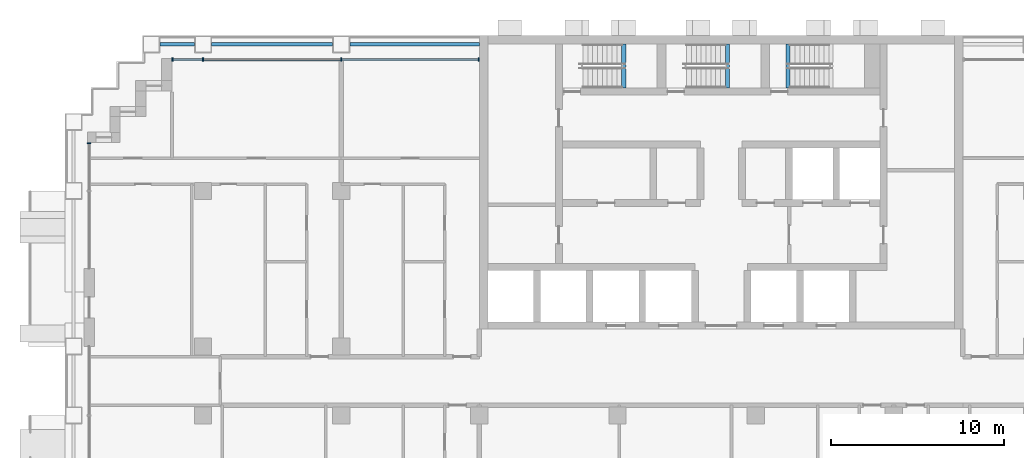
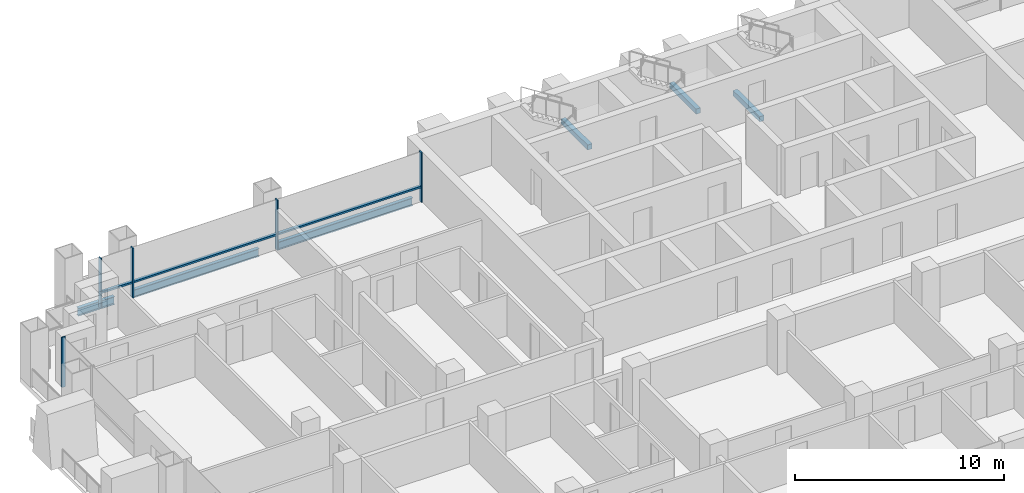
# One storey, part 4 of 18: 8 members, 6 beams, 2 elements without a shape of their own.
"""IFC4 building model written with IfcOpenShell, lengths in metres."""

import ifcopenshell
import ifcopenshell.guid

model = None  # the IFC model being written
_history = None  # IfcOwnerHistory: only IFC2X3 demands one
_inside = {}  # id of a spatial element -> (the spatial element, [elements in it])
_under = {}  # id of a project, library or spatial element -> (it, [spatial elements below it])
_declared = {}  # id of a project -> (the project, [libraries it declares])
_typed = {}  # id of a type object -> (the type object, [elements of that type])
_made_of = {}  # id of a material, layer set ... -> (it, [elements and type objects made of it])


def new_model(schema):
    """Start an empty IFC model of exactly this schema.

    Asked for "IFC4X3", IfcOpenShell would pick the latest addendum, in which some entities
    have other attributes; the version numbers below select the first issue.
    IFC2X3 requires an IfcOwnerHistory on every rooted entity: one is made here for all.
    """
    global model, _history
    if schema == "IFC4X3":
        model = ifcopenshell.file(schema_version=(4, 3, 0, 0))
    else:
        model = ifcopenshell.file(schema=schema)
    _inside.clear()
    _under.clear()
    _declared.clear()
    _typed.clear()
    _made_of.clear()
    _history = None
    if model.schema == "IFC2X3":
        org = make("IfcOrganization", Name="unknown")
        user = make(
            "IfcPersonAndOrganization",
            ThePerson=make("IfcPerson", FamilyName="unknown"),
            TheOrganization=org,
        )
        app = make(
            "IfcApplication",
            ApplicationDeveloper=org,
            Version="unknown",
            ApplicationFullName="unknown",
            ApplicationIdentifier="unknown",
        )
        _history = make(
            "IfcOwnerHistory",
            OwningUser=user,
            OwningApplication=app,
            ChangeAction="ADDED",
            CreationDate=0,
        )
    return model


def make(cls, **values):
    """One entity of the class cls with the attributes given. An attribute that is None is left unset."""
    return model.create_entity(
        cls, **{name: value for name, value in values.items() if value is not None}
    )


def rooted(cls, **values):
    """An entity with a GlobalId (a new one), such as an element, a storey or a relation."""
    return make(cls, GlobalId=ifcopenshell.guid.new(), OwnerHistory=_history, **values)


def si_unit(unit_type, name, prefix=None):
    """IfcSIUnit, for example si_unit("LENGTHUNIT", "METRE", prefix="MILLI")."""
    return make("IfcSIUnit", UnitType=unit_type, Prefix=prefix, Name=name)


def assignment(units):
    """IfcUnitAssignment: the units of a project."""
    return None if units is None else make("IfcUnitAssignment", Units=units)


def point(xyz):
    """IfcCartesianPoint."""
    return None if xyz is None else make("IfcCartesianPoint", Coordinates=xyz)


def direction(xyz):
    """IfcDirection."""
    return None if xyz is None else make("IfcDirection", DirectionRatios=xyz)


def frame(location, z_axis=None, x_axis=None):
    """IfcAxis2Placement3D, a coordinate frame: its origin and axes. An axis left out is left unset."""
    return make(
        "IfcAxis2Placement3D",
        Location=point(location),
        Axis=direction(z_axis),
        RefDirection=direction(x_axis),
    )


def frame_2d(location, x_axis=None):
    """IfcAxis2Placement2D, a coordinate frame in the plane: its origin and x axis."""
    return make(
        "IfcAxis2Placement2D", Location=point(location), RefDirection=direction(x_axis)
    )


def origin():
    """The frame at (0, 0, 0) with its axes left unset."""
    return frame((0.0, 0.0, 0.0))


def origin_2d():
    """The frame at (0, 0) in the plane with its x axis left unset."""
    return frame_2d((0.0, 0.0))


def place(relative_to, where):
    """IfcLocalPlacement: puts the frame where relative to a parent placement (None: the world)."""
    return make(
        "IfcLocalPlacement", PlacementRelTo=relative_to, RelativePlacement=where
    )


def context(
    kind, dimensions, precision=None, world=None, true_north=None, identifier=None
):
    """IfcGeometricRepresentationContext, for example the 3D "Model" context."""
    return make(
        "IfcGeometricRepresentationContext",
        ContextIdentifier=identifier,
        ContextType=kind,
        CoordinateSpaceDimension=dimensions,
        Precision=precision,
        WorldCoordinateSystem=world,
        TrueNorth=true_north,
    )


def subcontext(parent, identifier, kind, view, scale=None):
    """IfcGeometricRepresentationSubContext, for example "Body" below "Model"."""
    return make(
        "IfcGeometricRepresentationSubContext",
        ContextIdentifier=identifier,
        ContextType=kind,
        ParentContext=parent,
        TargetScale=scale,
        TargetView=view,
    )


def project(units=None, contexts=None):
    """IfcProject with its units and contexts."""
    return rooted(
        "IfcProject",
        Name="project",
        RepresentationContexts=contexts,
        UnitsInContext=assignment(units),
    )


def spatial(cls, under=None, at=None, **own):
    """A site, building, storey or space (cls), placed at a placement, below another one or the project."""
    s = rooted(cls, ObjectPlacement=at, **own)
    if under is not None:
        _under.setdefault(under.id(), (under, []))[1].append(s)
    return s


def profile(cls, at=None, kind="AREA", **sizes):
    """A parametric profile (cls). Its sizes go by their IFC names, for example OverallWidth=200.0."""
    return make(cls, ProfileType=kind, Position=at, **sizes)


def rectangle(**sizes):
    """IfcRectangleProfileDef."""
    return profile("IfcRectangleProfileDef", **sizes)


def i_section(**sizes):
    """IfcIShapeProfileDef."""
    return profile("IfcIShapeProfileDef", **sizes)


def extrude(swept, where, along, depth):
    """IfcExtrudedAreaSolid: the profile swept, set in the frame where, extruded along a direction by depth."""
    return make(
        "IfcExtrudedAreaSolid",
        SweptArea=swept,
        Position=where,
        ExtrudedDirection=direction(along),
        Depth=depth,
    )


def shape(context_of_items, identifier, shape_type, items):
    """IfcShapeRepresentation: the items that make up one representation, for example the "Body"."""
    return make(
        "IfcShapeRepresentation",
        ContextOfItems=context_of_items,
        RepresentationIdentifier=identifier,
        RepresentationType=shape_type,
        Items=items,
    )


def material(Name=None, Category=None):
    """IfcMaterial."""
    return make("IfcMaterial", Name=Name, Category=Category)


def material_profile(
    of_material, cross_section, Name=None, Category=None, Priority=None
):
    """IfcMaterialProfile: a cross section and its material."""
    return make(
        "IfcMaterialProfile",
        Name=Name,
        Material=of_material,
        Profile=cross_section,
        Priority=Priority,
        Category=Category,
    )


def profile_set(profiles, Name=None, composite=None):
    """IfcMaterialProfileSet."""
    return make(
        "IfcMaterialProfileSet",
        Name=Name,
        MaterialProfiles=profiles,
        CompositeProfile=composite,
    )


def made_of(thing, what):
    """Note that an element or type object is made of a material, layer set ...; save() writes the relation."""
    if what is not None:
        _made_of.setdefault(what.id(), (what, []))[1].append(thing)
    return thing


def type_object(cls, material=None, **own):
    """A type object (cls), such as IfcWallType, which elements share."""
    return made_of(rooted(cls, **own), material)


def element(
    cls,
    number,
    at=None,
    inside=None,
    cuts=None,
    type_object=None,
    material=None,
    context=None,
    identifier="Body",
    shape_type=None,
    held_by="IfcProductDefinitionShape",
    body=None,
    shapes=None,
    **own,
):
    """One element of the class cls, such as IfcWall. Its Tag is "e" and its number.

    at: its placement. inside: the storey or other place that contains it. cuts: it is an
    opening in that element (IfcRelVoidsElement). A single representation is given by context,
    identifier, shape_type and body (its items); several are given by shapes. held_by: the class
    of the entity that holds the representations. save() writes the other relations.
    """
    e = rooted(cls, Tag="e%d" % number, ObjectPlacement=at, **own)
    if body is not None:
        shapes = [shape(context, identifier, shape_type, body)]
    if shapes is not None:
        e.Representation = make(held_by, Representations=shapes)
    if inside is not None:
        _inside.setdefault(inside.id(), (inside, []))[1].append(e)
    if cuts is not None:
        rooted(
            "IfcRelVoidsElement", RelatingBuildingElement=cuts, RelatedOpeningElement=e
        )
    if type_object is not None:
        _typed.setdefault(type_object.id(), (type_object, []))[1].append(e)
    return made_of(e, material)


def aggregate(whole, parts):
    """IfcRelAggregates: a whole, such as a stair, and the parts it consists of."""
    return rooted("IfcRelAggregates", RelatingObject=whole, RelatedObjects=parts)


def save(model, path):
    """Write the relations noted so far, then the file.

    IfcRelAggregates (storeys below a building ...), IfcRelContainedInSpatialStructure (elements
    in a storey), IfcRelDefinesByType, IfcRelAssociatesMaterial and IfcRelDeclares: one each for
    every whole, place, type object, material and project.
    """
    for whole, parts in _under.values():
        aggregate(whole, parts)
    for where, things in _inside.values():
        rooted(
            "IfcRelContainedInSpatialStructure",
            RelatedElements=things,
            RelatingStructure=where,
        )
    for kind, things in _typed.values():
        rooted("IfcRelDefinesByType", RelatedObjects=things, RelatingType=kind)
    for what, things in _made_of.values():
        rooted("IfcRelAssociatesMaterial", RelatedObjects=things, RelatingMaterial=what)
    for by, libraries in _declared.values():
        rooted("IfcRelDeclares", RelatingContext=by, RelatedDefinitions=libraries)
    model.write(path)


model = new_model("IFC4")

# Units and contexts
model_context = context("Model", 3, precision=1e-05, world=origin(), true_north=direction((0.0, 1.0)))
body_context = subcontext(model_context, "Body", "Model", "MODEL_VIEW")
ifc_project = project(units=[si_unit("LENGTHUNIT", "METRE"), si_unit("AREAUNIT", "SQUARE_METRE"), si_unit("VOLUMEUNIT", "CUBIC_METRE"), si_unit("PLANEANGLEUNIT", "RADIAN"), si_unit("MASSUNIT", "GRAM", prefix="KILO")], contexts=[model_context])

# Site, building, storey
site_placement = place(None, origin())
site = spatial("IfcSite", under=ifc_project, at=site_placement, CompositionType="ELEMENT")
building_placement = place(site_placement, origin())
building = spatial("IfcBuilding", under=site, at=building_placement, Name="Vidyagriha Tower", CompositionType="ELEMENT")
storey_placement = place(building_placement, frame((0.0, 0.0, 51.199951171875)))
storey = spatial("IfcBuildingStorey", under=building, at=storey_placement, Name="L13", CompositionType="ELEMENT", Elevation=51.199951171875)

# Beams
ifc_material_1 = material(Name="Steel ASTM A992 Grade 50", Category="steel")
ifc_material_profile_1 = material_profile(ifc_material_1, i_section(OverallWidth=0.19189453125, OverallDepth=0.46240234375, WebThickness=0.010498046875, FlangeThickness=0.017578125, at=origin_2d()), Name="W18X60")
ifc_profile_set_1 = profile_set([ifc_material_profile_1], Name="Steel ASTM A992 Grade 50")
beam_type_1 = type_object("IfcBeamType", Name="Edge beam W18X60", PredefinedType="SPANDREL", material=ifc_profile_set_1)
beam_1_placement = place(storey_placement, frame((-32.5, 19.5, -0.510986328125), z_axis=(1.0, 0.0, 0.0), x_axis=(0.0, 1.0, 0.0)))
element("IfcBeam", 1, at=beam_1_placement, inside=storey, type_object=beam_type_1, Name="st-beam-L13-NW20", PredefinedType="SPANDREL", context=body_context, shape_type="SweptSolid", body=[
    extrude(i_section(OverallWidth=0.19189453125, OverallDepth=0.46240234375, WebThickness=0.010498046875, FlangeThickness=0.017578125, at=origin_2d()), origin(), (0.0, 0.0, 1.0), 2.0),
])
beam_2_placement = place(storey_placement, frame((-29.5, 19.5, -0.510986328125), z_axis=(1.0, 0.0, 0.0), x_axis=(0.0, 1.0, 0.0)))
element("IfcBeam", 2, at=beam_2_placement, inside=storey, type_object=beam_type_1, Name="st-beam-L13-NW21", PredefinedType="SPANDREL", context=body_context, shape_type="SweptSolid", body=[
    extrude(i_section(OverallWidth=0.19189453125, OverallDepth=0.46240234375, WebThickness=0.010498046875, FlangeThickness=0.017578125, at=origin_2d()), origin(), (0.0, 0.0, 1.0), 7.0),
])
beam_3_placement = place(storey_placement, frame((-21.5, 19.5, -0.510986328125), z_axis=(1.0, 0.0, 0.0), x_axis=(0.0, 1.0, 0.0)))
element("IfcBeam", 3, at=beam_3_placement, inside=storey, type_object=beam_type_1, Name="st-beam-L13-NC24", PredefinedType="SPANDREL", context=body_context, shape_type="SweptSolid", body=[
    extrude(i_section(OverallWidth=0.19189453125, OverallDepth=0.46240234375, WebThickness=0.010498046875, FlangeThickness=0.017578125, at=origin_2d()), origin(), (0.0, 0.0, 1.0), 7.5),
])

# Curtain wall, members
ifc_material_2 = material(Name="Aluminium and glass curtain wall", Category="aluminium")
curtain_wall_type = type_object("IfcCurtainWallType", Name="Dwelling skin unitised curtain wall", PredefinedType="USERDEFINED", material=ifc_material_2)
curtain_wall_1_placement = place(storey_placement, origin())
curtain_wall_1 = element("IfcCurtainWall", 4, at=curtain_wall_1_placement, inside=storey, type_object=curtain_wall_type, Name="CW1 dwelling skin", ObjectType="UNITISED", PredefinedType="USERDEFINED")
ifc_material_3 = material(Name="Aluminium black anodised", Category="aluminium")
ifc_material_profile_2 = material_profile(ifc_material_3, rectangle(XDim=0.199951171875, YDim=0.070068359375, at=origin_2d()), Name="Mullion 70x200 black aluminium")
ifc_profile_set_2 = profile_set([ifc_material_profile_2], Name="Aluminium black anodised")
member_type_1 = type_object("IfcMemberType", Name="Mullion 70x200 black aluminium", PredefinedType="MULLION", material=ifc_profile_set_2)
member_1_placement = place(storey_placement, frame((-14.034912109375, 18.60009765625, 0.0), z_axis=(0.0, 0.0, 1.0), x_axis=(0.0, -1.0, 0.0)))
member_1 = element("IfcMember", 5, at=member_1_placement, type_object=member_type_1, Name="CW1 mullion 1", PredefinedType="MULLION", context=body_context, shape_type="SweptSolid", body=[
    extrude(rectangle(XDim=0.199951171875, YDim=0.070068359375, at=origin_2d()), origin(), (0.0, 0.0, 1.0), 2.920166015625),
])
member_2_placement = place(storey_placement, frame((-22.0, 18.60009765625, 0.0), z_axis=(0.0, 0.0, 1.0), x_axis=(0.0, -1.0, 0.0)))
member_2 = element("IfcMember", 6, at=member_2_placement, type_object=member_type_1, Name="CW1 mullion 2", PredefinedType="MULLION", context=body_context, shape_type="SweptSolid", body=[
    extrude(rectangle(XDim=0.199951171875, YDim=0.070068359375, at=origin_2d()), origin(), (0.0, 0.0, 1.0), 2.920166015625),
])
member_3_placement = place(storey_placement, frame((-30.0, 18.60009765625, 0.0), z_axis=(0.0, 0.0, 1.0), x_axis=(0.0, -1.0, 0.0)))
member_3 = element("IfcMember", 7, at=member_3_placement, type_object=member_type_1, Name="CW1 mullion 3", PredefinedType="MULLION", context=body_context, shape_type="SweptSolid", body=[
    extrude(rectangle(XDim=0.199951171875, YDim=0.070068359375, at=origin_2d()), origin(), (0.0, 0.0, 1.0), 2.920166015625),
])
member_4_placement = place(storey_placement, frame((-31.764892578125, 18.60009765625, 0.0), z_axis=(0.0, 0.0, 1.0), x_axis=(0.0, -1.0, 0.0)))
member_4 = element("IfcMember", 8, at=member_4_placement, type_object=member_type_1, Name="CW1 mullion 4", PredefinedType="MULLION", context=body_context, shape_type="SweptSolid", body=[
    extrude(rectangle(XDim=0.199951171875, YDim=0.070068359375, at=origin_2d()), origin(), (0.0, 0.0, 1.0), 2.920166015625),
])

# Curtain wall, member
curtain_wall_2_placement = place(storey_placement, origin())
curtain_wall_2 = element("IfcCurtainWall", 9, at=curtain_wall_2_placement, inside=storey, type_object=curtain_wall_type, Name="CW1 dwelling skin", ObjectType="UNITISED", PredefinedType="USERDEFINED")
member_5_placement = place(storey_placement, frame((-36.60009765625, 13.764892578125, 0.0)))
member_5 = element("IfcMember", 10, at=member_5_placement, type_object=member_type_1, Name="CW1 mullion 1", PredefinedType="MULLION", context=body_context, shape_type="SweptSolid", body=[
    extrude(rectangle(XDim=0.199951171875, YDim=0.070068359375, at=origin_2d()), origin(), (0.0, 0.0, 1.0), 2.920166015625),
])
aggregate(curtain_wall_2, [member_5])

# Beams
ifc_material_4 = material(Name="Concrete C40/50", Category="concrete")
ifc_material_profile_3 = material_profile(ifc_material_4, rectangle(XDim=0.25, YDim=0.300048828125, at=origin_2d()), Name="Stair landing bearing beam 250x300")
ifc_profile_set_3 = profile_set([ifc_material_profile_3], Name="Concrete C40/50")
beam_type_2 = type_object("IfcBeamType", Name="Stair landing bearing beam 250x300", PredefinedType="BEAM", material=ifc_profile_set_3)
for number, where, z_axis, x_axis, name in (
    (11, (3.875, 16.949951171875, -0.429931640625), (0.0, 1.0, 0.0), (-1.0, 0.0, 0.0), "ST3 floor landing bearing beam L13"),
    (12, (-5.635009765625, 16.949951171875, 1.25), (0.0, 1.0, 0.0), (-1.0, 0.0, 0.0), "ST1 landing bearing beam L13"),
    (13, (0.364990234375, 16.949951171875, 1.25), (0.0, 1.0, 0.0), (-1.0, 0.0, 0.0), "ST2 landing bearing beam L13"),
):
    element("IfcBeam", number, at=place(storey_placement, frame(where, z_axis=z_axis, x_axis=x_axis)), inside=storey, type_object=beam_type_2, Name=name, PredefinedType="BEAM", context=body_context, shape_type="SweptSolid", body=[
        extrude(rectangle(XDim=0.25, YDim=0.300048828125, at=origin_2d()), origin(), (0.0, 0.0, 1.0), 2.550048828125),
    ])

# Member
ifc_material_5 = material(Name="Aluminium black anodised", Category="aluminium")
ifc_material_profile_4 = material_profile(ifc_material_5, rectangle(XDim=0.159912109375, YDim=0.10009765625, at=origin_2d()), Name="Transom 100x160 black aluminium")
ifc_profile_set_4 = profile_set([ifc_material_profile_4], Name="Aluminium black anodised")
member_type_2 = type_object("IfcMemberType", Name="Transom 100x160 black aluminium", PredefinedType="USERDEFINED", material=ifc_profile_set_4)
member_6_placement = place(storey_placement, frame((-14.070068359375, 18.60009765625, 0.900146484375), z_axis=(-1.0, 0.0, 0.0), x_axis=(0.0, -1.0, 0.0)))
member_6 = element("IfcMember", 14, at=member_6_placement, type_object=member_type_2, Name="CW1 transom 1.1", ObjectType="TRANSOM", PredefinedType="USERDEFINED", context=body_context, shape_type="SweptSolid", body=[
    extrude(rectangle(XDim=0.159912109375, YDim=0.10009765625, at=origin_2d()), origin(), (0.0, 0.0, 1.0), 7.89501953125),
])

member_7_placement = place(storey_placement, frame((-22.034912109375, 18.60009765625, 0.900146484375), z_axis=(-1.0, 0.0, 0.0), x_axis=(0.0, -1.0, 0.0)))
member_7 = element("IfcMember", 15, at=member_7_placement, type_object=member_type_2, Name="CW1 transom 2.1", ObjectType="TRANSOM", PredefinedType="USERDEFINED", context=body_context, shape_type="SweptSolid", body=[
    extrude(rectangle(XDim=0.159912109375, YDim=0.10009765625, at=origin_2d()), origin(), (0.0, 0.0, 1.0), 7.93017578125),
])

member_8_placement = place(storey_placement, frame((-30.034912109375, 18.60009765625, 0.900146484375), z_axis=(-1.0, 0.0, 0.0), x_axis=(0.0, -1.0, 0.0)))
member_8 = element("IfcMember", 16, at=member_8_placement, type_object=member_type_2, Name="CW1 transom 3.1", ObjectType="TRANSOM", PredefinedType="USERDEFINED", context=body_context, shape_type="SweptSolid", body=[
    extrude(rectangle(XDim=0.159912109375, YDim=0.10009765625, at=origin_2d()), origin(), (0.0, 0.0, 1.0), 1.695068359375),
])

aggregate(curtain_wall_1, [member_1, member_2, member_3, member_4, member_6, member_7, member_8])

save(model, "model.ifc")
